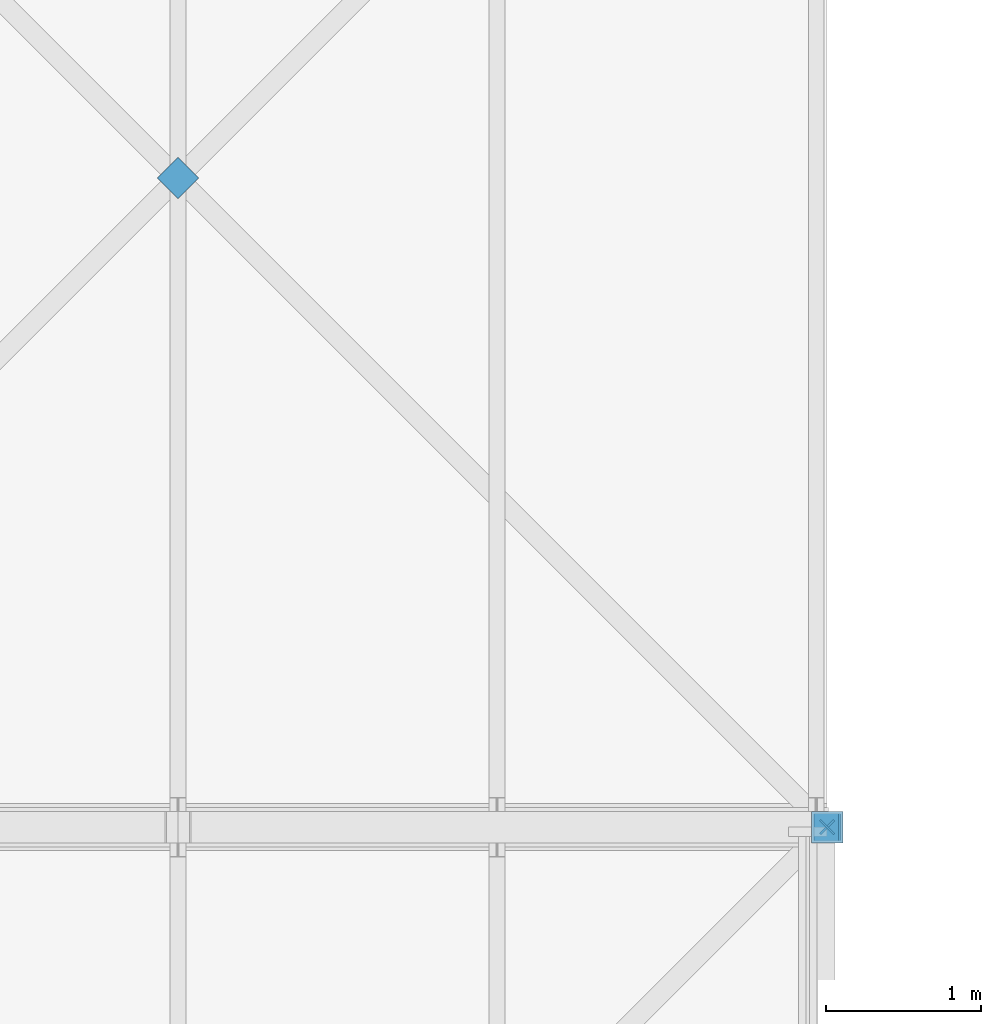
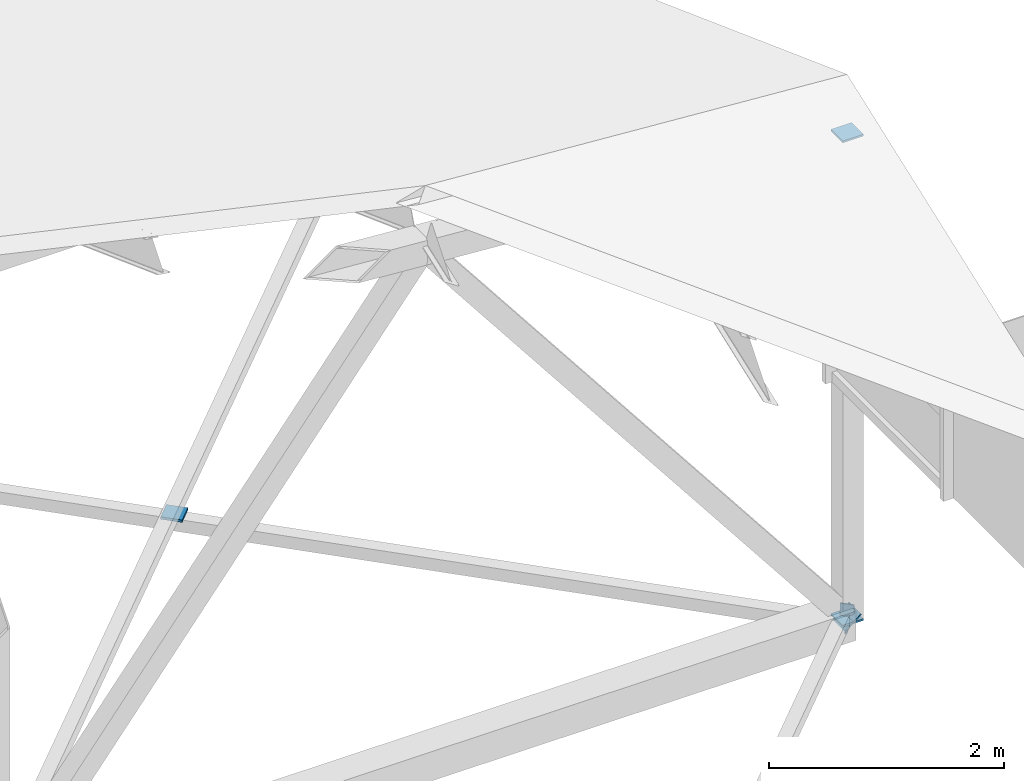
# One storey, part 65 of 76: 6 discrete accessories.
"""IFC4 building model written with IfcOpenShell, lengths in metres."""

from ifc_helpers import new_model, si_unit, direction, frame, origin, origin_2d, place, context, subcontext, project, spatial, rectangle, extrude, material, element, save


model = new_model("IFC4")

# Units and contexts
model_context = context("Model", 3, precision=1e-05, world=origin(), true_north=direction((0.0, 1.0)))
body_context = subcontext(model_context, "Body", "Model", "MODEL_VIEW")
ifc_project = project(units=[si_unit("LENGTHUNIT", "METRE"), si_unit("AREAUNIT", "SQUARE_METRE"), si_unit("VOLUMEUNIT", "CUBIC_METRE"), si_unit("PLANEANGLEUNIT", "RADIAN"), si_unit("MASSUNIT", "GRAM", prefix="KILO")], contexts=[model_context])

# Site, building, storey
site_placement = place(None, origin())
site = spatial("IfcSite", under=ifc_project, at=site_placement, CompositionType="ELEMENT")
building_placement = place(site_placement, origin())
building = spatial("IfcBuilding", under=site, at=building_placement, Name="Hlaing Beacon Police Headquarters", CompositionType="ELEMENT")
storey_placement = place(building_placement, frame((0.0, 0.0, 18.89990234375)))
storey = spatial("IfcBuildingStorey", under=building, at=storey_placement, Name="L04", CompositionType="ELEMENT", Elevation=18.89990234375)

# Discrete accessories
ifc_material = material(Name="Steel ASTM A572 Grade 50", Category="steel")
for number, where, z_axis, x_axis, name in (
    (1, (67.199951171875, 84.0, -2.53759765625), (0.0, 0.0, -1.0), (1.0, 0.0, 0.0), "Gusset plate GP-449"),
    (2, (67.199951171875, 84.0, 2.482666015625), (0.0, 0.0, 1.0), (1.0, 0.0, 0.0), "Gusset plate GP-450"),
):
    element("IfcDiscreteAccessory", number, at=place(storey_placement, frame(where, z_axis=z_axis, x_axis=x_axis)), inside=storey, material=ifc_material, Name=name, PredefinedType="BRACKET", context=body_context, shape_type="SweptSolid", body=[
        extrude(rectangle(XDim=0.203125, YDim=0.203125, at=origin_2d()), origin(), (0.0, 0.0, 1.0), 0.02001953125),
    ])
discrete_accessory_1_placement = place(storey_placement, frame((67.195068359375, 84.0, -2.541259765625), z_axis=(0.618183326638, 0.0, -0.786033952617), x_axis=(0.0, 1.0, 0.0)))
element("IfcDiscreteAccessory", 3, at=discrete_accessory_1_placement, inside=storey, material=ifc_material, Name="Gusset plate GP-466", PredefinedType="BRACKET", context=body_context, shape_type="SweptSolid", body=[
    extrude(rectangle(XDim=0.203125, YDim=0.203125, at=origin_2d()), origin(), (0.0, 0.0, 1.0), 0.01611328125),
])
for number, where, z_axis, x_axis, name in (
    (4, (67.195556640625, 83.99560546875, -2.47412109375), (0.707106781187, 0.707106781187, 0.0), (-0.707106781187, 0.707106781187, 0.0), "Gusset plate GP-506"),
    (5, (67.195556640625, 84.00439453125, -2.62109375), (0.707106781187, -0.707106781187, 0.0), (0.707106781187, 0.707106781187, 0.0), "Gusset plate GP-518"),
):
    element("IfcDiscreteAccessory", number, at=place(storey_placement, frame(where, z_axis=z_axis, x_axis=x_axis)), inside=storey, material=ifc_material, Name=name, PredefinedType="BRACKET", context=body_context, shape_type="SweptSolid", body=[
        extrude(rectangle(XDim=0.126953125, YDim=0.126953125, at=origin_2d()), origin(), (0.0, 0.0, 1.0), 0.011962890625),
    ])
discrete_accessory_2_placement = place(storey_placement, frame((63.0, 88.199951171875, -2.560546875), z_axis=(0.0, 0.0, 1.0), x_axis=(0.707106781187, 0.707106781187, 0.0)))
element("IfcDiscreteAccessory", 6, at=discrete_accessory_2_placement, inside=storey, material=ifc_material, Name="Node plate NP-016", PredefinedType="BRACKET", context=body_context, shape_type="SweptSolid", body=[
    extrude(rectangle(XDim=0.1904296875, YDim=0.1904296875, at=origin_2d()), origin(), (0.0, 0.0, 1.0), 0.02587890625),
])

save(model, "model.ifc")
